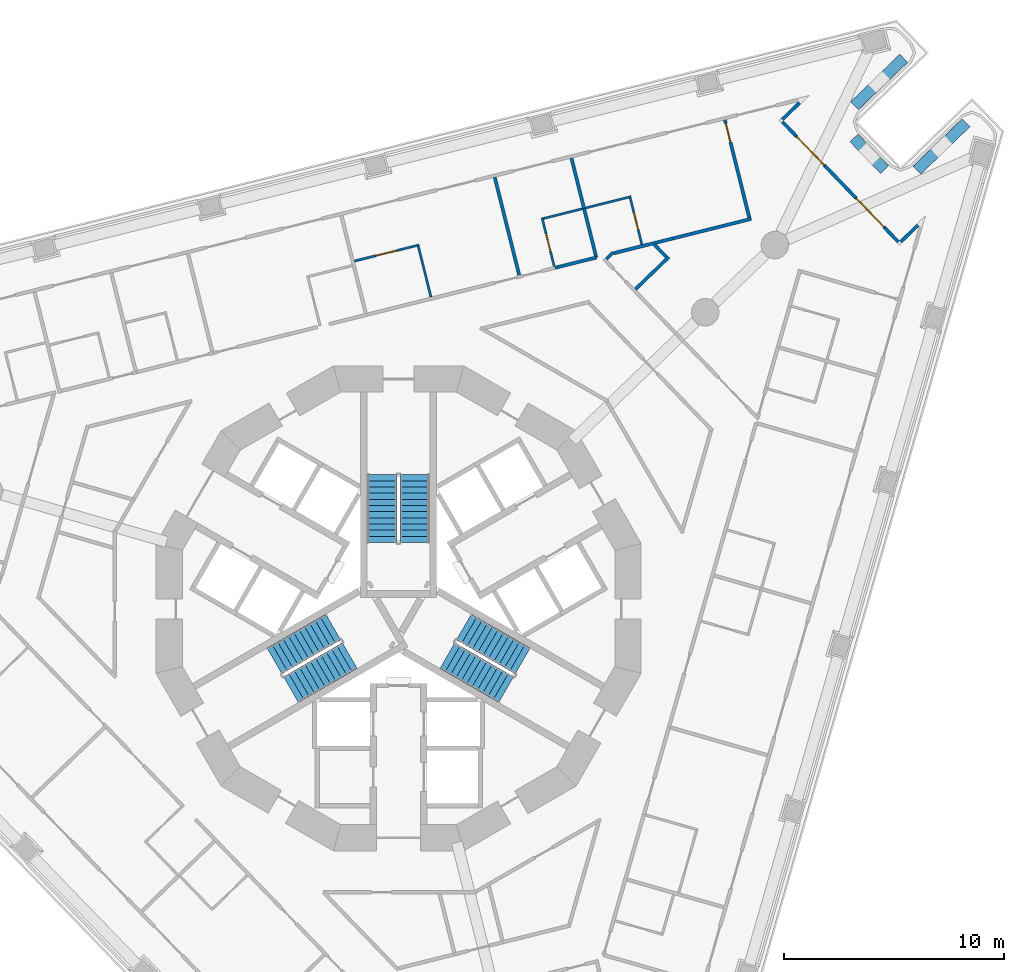
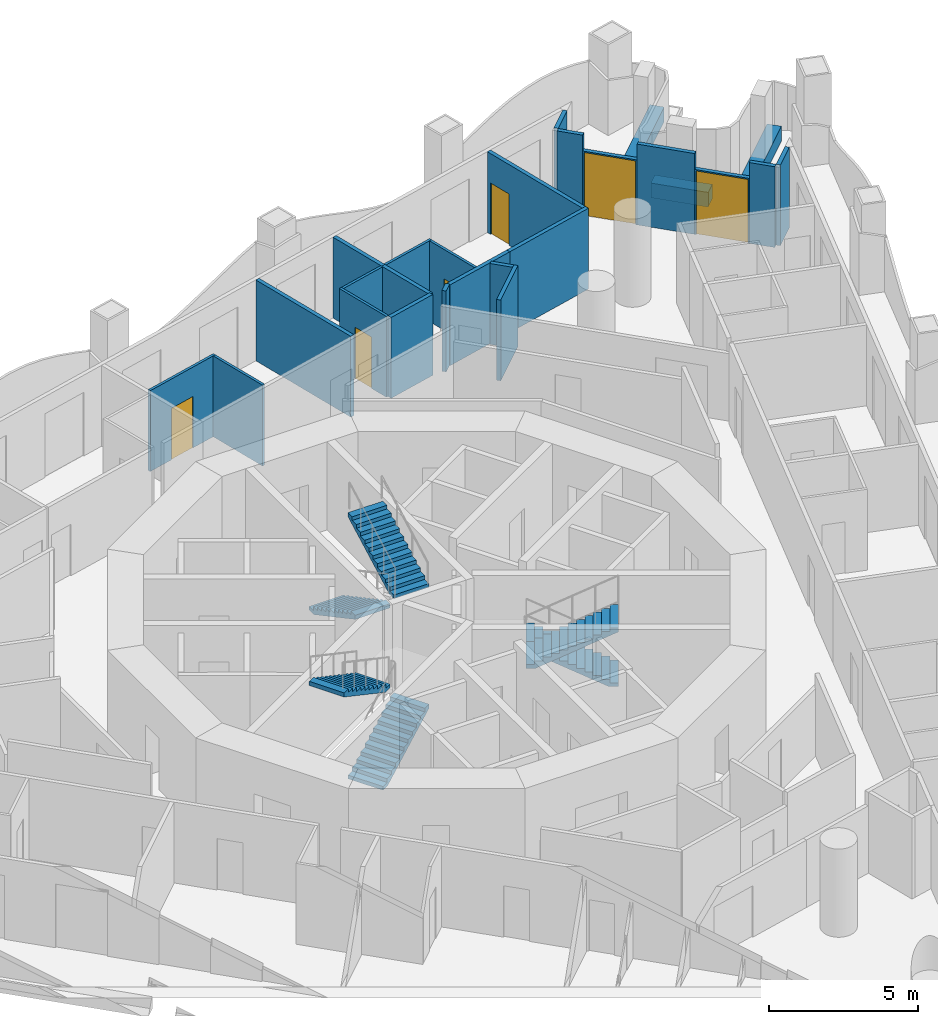
# One storey, part 10 of 18: 26 walls, 6 doors, 6 stair flights, 6 openings, 3 elements without a shape of their own.
"""IFC4 building model written with IfcOpenShell, lengths in metres."""

from ifc_helpers import new_model, si_unit, direction, frame, frame_2d, origin, place, context, subcontext, project, spatial, polyline, rectangle, outline, extrude, material, layer, layer_set, type_object, element, fill, aggregate, save


model = new_model("IFC4")

# Units and contexts
model_context = context("Model", 3, precision=1e-05, world=origin(), true_north=direction((0.0, 1.0)))
body_context = subcontext(model_context, "Body", "Model", "MODEL_VIEW")
ifc_project = project(units=[si_unit("LENGTHUNIT", "METRE"), si_unit("AREAUNIT", "SQUARE_METRE"), si_unit("VOLUMEUNIT", "CUBIC_METRE"), si_unit("PLANEANGLEUNIT", "RADIAN"), si_unit("MASSUNIT", "GRAM", prefix="KILO")], contexts=[model_context])

# Site, building, storey
site_placement = place(None, origin())
site = spatial("IfcSite", under=ifc_project, at=site_placement, CompositionType="ELEMENT")
building_placement = place(site_placement, origin())
building = spatial("IfcBuilding", under=site, at=building_placement, Name="Trine Commons Tower", CompositionType="ELEMENT")
storey_placement = place(building_placement, frame((0.0, 0.0, 90.89990234375)))
storey = spatial("IfcBuildingStorey", under=building, at=storey_placement, Name="L22", CompositionType="ELEMENT", Elevation=90.89990234375)

# Walls
ifc_material_1 = material(Name="Aluminium-framed insulated wall panel", Category="aluminium")
ifc_layer_1 = layer(ifc_material_1, 0.14990234375)
ifc_layer_set_1 = layer_set([ifc_layer_1], Name="Aluminium-framed insulated wall panel")
wall_type_1 = type_object("IfcWallType", Name="Glazed frame wall 150, EI 60", PredefinedType="SOLIDWALL", material=ifc_layer_set_1)
wall_1_placement = place(storey_placement, frame((98.3076171875, 85.552490234375, 0.0), z_axis=(0.0, 0.0, 1.0), x_axis=(-0.719251336278, -0.694749966004, 0.0)))
element("IfcWall", 1, at=wall_1_placement, inside=storey, type_object=wall_type_1, Name="Glazed frame wall R5", PredefinedType="SOLIDWALL", context=body_context, shape_type="SweptSolid", body=[
    extrude(outline(polyline([(0.1494140625, 0.074951171875), (0.1494140625, -0.074951171875), (1.235107421875, -0.074951171875), (1.235107421875, 0.074951171875), (0.1494140625, 0.074951171875)])), origin(), (0.0, 0.0, 1.0), 3.300048828125),
])
wall_2_placement = place(storey_placement, frame((97.3408203125, 84.66748046875, 0.0), z_axis=(0.0, 0.0, 1.0), x_axis=(0.694668587965, -0.719329933267, 0.0)))
element("IfcWall", 2, at=wall_2_placement, inside=storey, type_object=wall_type_1, Name="Glazed frame wall P2.1", PredefinedType="SOLIDWALL", context=body_context, shape_type="SweptSolid", body=[
    extrude(outline(polyline([(0.110107421875, -0.074951171875), (1.0, -0.074951171875), (1.0, 0.074951171875), (0.110107421875, 0.074951171875), (0.110107421875, -0.074951171875)])), origin(), (0.0, 0.0, 1.0), 3.300048828125),
])

# Wall, opening, door
wall_3_placement = place(storey_placement, frame((98.035400390625, 83.9482421875, 0.0), z_axis=(0.0, 0.0, 1.0), x_axis=(0.694665586762, -0.719332831566, 0.0)))
wall_3 = element("IfcWall", 3, at=wall_3_placement, inside=storey, type_object=wall_type_1, Name="Glazed frame wall P2.2", PredefinedType="SOLIDWALL", context=body_context, shape_type="SweptSolid", body=[
    extrude(outline(polyline([(0.0, -0.074951171875), (1.89990234375, -0.074951171875), (1.89990234375, 0.074951171875), (0.0, 0.074951171875), (0.0, -0.074951171875)])), origin(), (0.0, 0.0, 1.0), 2.650146484375),
])
opening_1_placement = place(wall_3_placement, frame((0.050048828125, 0.0, 0.0)))
opening_1 = element("IfcOpeningElement", 4, at=opening_1_placement, cuts=wall_3, Name="Opening BD-3P2-01", PredefinedType="OPENING", context=body_context, shape_type="SweptSolid", body=[
    extrude(rectangle(XDim=1.800048828125, YDim=2.60009765625, at=frame_2d((0.89990234375, 1.300048828125))), frame((0.0, 0.0849609375, 0.0), z_axis=(0.0, -1.0, 0.0), x_axis=(1.0, 0.0, 0.0)), (0.0, 0.0, 1.0), 0.169921875),
])
ifc_material_2 = material(Name="Anodised aluminium frame with double glazing", Category="aluminium")
door_type_1 = type_object("IfcDoorType", Name="Sliding loggia door 1800x2600", OperationType="SLIDING_TO_LEFT", PredefinedType="DOOR", material=ifc_material_2)
door_1_placement = place(opening_1_placement, origin())
door_1 = element("IfcDoor", 5, at=door_1_placement, inside=storey, type_object=door_type_1, Name="Loggia door P2 1", OperationType="SLIDING_TO_LEFT", OverallHeight=2.60009765625, OverallWidth=1.800048828125, PredefinedType="DOOR", context=body_context, shape_type="SweptSolid", body=[
    extrude(rectangle(XDim=1.800048828125, YDim=2.60009765625, at=frame_2d((0.89990234375, 1.300048828125))), frame((0.0, 0.02490234375, 0.0), z_axis=(0.0, -1.0, 0.0), x_axis=(1.0, 0.0, 0.0)), (0.0, 0.0, 1.0), 0.050048828125),
])
fill(opening_1, door_1)

# Wall
wall_4_placement = place(storey_placement, frame((99.35546875, 82.581298828125, 0.0), z_axis=(0.0, 0.0, 1.0), x_axis=(0.694668587965, -0.719329933267, 0.0)))
element("IfcWall", 6, at=wall_4_placement, inside=storey, type_object=wall_type_1, Name="Glazed frame wall P2.3", PredefinedType="SOLIDWALL", context=body_context, shape_type="SweptSolid", body=[
    extrude(outline(polyline([(0.0, -0.074951171875), (2.0, -0.074951171875), (2.0, 0.074951171875), (0.0, 0.074951171875), (0.0, -0.074951171875)])), origin(), (0.0, 0.0, 1.0), 3.300048828125),
])

# Wall, opening, door
wall_5_placement = place(storey_placement, frame((100.74462890625, 81.142822265625, 0.0), z_axis=(0.0, 0.0, 1.0), x_axis=(0.694599099672, -0.719397032753, 0.0)))
wall_5 = element("IfcWall", 7, at=wall_5_placement, inside=storey, type_object=wall_type_1, Name="Glazed frame wall P2.4", PredefinedType="SOLIDWALL", context=body_context, shape_type="SweptSolid", body=[
    extrude(outline(polyline([(0.0, -0.074951171875), (1.89990234375, -0.074951171875), (1.89990234375, 0.074951171875), (0.0, 0.074951171875), (0.0, -0.074951171875)])), origin(), (0.0, 0.0, 1.0), 2.650146484375),
])
opening_2_placement = place(wall_5_placement, frame((0.050048828125, 0.0, 0.0)))
opening_2 = element("IfcOpeningElement", 8, at=opening_2_placement, cuts=wall_5, Name="Opening BD-3P2-02", PredefinedType="OPENING", context=body_context, shape_type="SweptSolid", body=[
    extrude(rectangle(XDim=1.800048828125, YDim=2.60009765625, at=frame_2d((0.89990234375, 1.300048828125))), frame((0.0, 0.0849609375, 0.0), z_axis=(0.0, -1.0, 0.0), x_axis=(1.0, 0.0, 0.0)), (0.0, 0.0, 1.0), 0.169921875),
])
door_2_placement = place(opening_2_placement, origin())
door_2 = element("IfcDoor", 9, at=door_2_placement, inside=storey, type_object=door_type_1, Name="Loggia door P2 2", OperationType="SLIDING_TO_LEFT", OverallHeight=2.60009765625, OverallWidth=1.800048828125, PredefinedType="DOOR", context=body_context, shape_type="SweptSolid", body=[
    extrude(rectangle(XDim=1.800048828125, YDim=2.60009765625, at=frame_2d((0.89990234375, 1.300048828125))), frame((0.0, 0.02490234375, 0.0), z_axis=(0.0, -1.0, 0.0), x_axis=(1.0, 0.0, 0.0)), (0.0, 0.0, 1.0), 0.050048828125),
])
fill(opening_2, door_2)

# Walls
wall_6_placement = place(storey_placement, frame((102.064453125, 79.77587890625, 0.0), z_axis=(0.0, 0.0, 1.0), x_axis=(0.694794898962, -0.719207931252, 0.0)))
element("IfcWall", 10, at=wall_6_placement, inside=storey, type_object=wall_type_1, Name="Glazed frame wall P2.5", PredefinedType="SOLIDWALL", context=body_context, shape_type="SweptSolid", body=[
    extrude(outline(polyline([(0.889892578125, 0.074951171875), (0.0, 0.074951171875), (0.0, -0.074951171875), (0.889892578125, -0.074951171875), (0.889892578125, 0.074951171875)])), origin(), (0.0, 0.0, 1.0), 3.300048828125),
])
wall_7_placement = place(storey_placement, frame((102.709716796875, 79.0576171875, 0.0), z_axis=(0.0, 0.0, 1.0), x_axis=(0.719342032924, 0.694656058542, 0.0)))
element("IfcWall", 11, at=wall_7_placement, inside=storey, type_object=wall_type_1, Name="Glazed frame wall R7", PredefinedType="SOLIDWALL", context=body_context, shape_type="SweptSolid", body=[
    extrude(outline(polyline([(0.110107421875, 0.074951171875), (0.110107421875, -0.074951171875), (1.19580078125, -0.074951171875), (1.19580078125, 0.074951171875), (0.110107421875, 0.074951171875)])), origin(), (0.0, 0.0, 1.0), 3.300048828125),
])
ifc_material_3 = material(Name="Planter trough, precast concrete C40/50", Category="concrete")
ifc_layer_2 = layer(ifc_material_3, 0.5)
ifc_layer_set_2 = layer_set([ifc_layer_2], Name="Planter trough, precast concrete C40/50")
wall_type_2 = type_object("IfcWallType", Name="Planter trough 500x600", PredefinedType="PARAPET", material=ifc_layer_set_2)
wall_8_placement = place(storey_placement, frame((102.923828125, 87.47314453125, 0.0), z_axis=(0.0, 0.0, 1.0), x_axis=(-0.719324109218, -0.694674618723, 0.0)))
element("IfcWall", 12, at=wall_8_placement, inside=storey, type_object=wall_type_2, Name="Planter 4", PredefinedType="PARAPET", context=body_context, shape_type="SweptSolid", body=[
    extrude(rectangle(XDim=3.10009765625, YDim=0.5, at=frame_2d((1.550048828125, 0.0))), origin(), (0.0, 0.0, 1.0), 0.60009765625),
])
wall_9_placement = place(storey_placement, frame((100.668212890625, 83.84912109375, 0.0), z_axis=(0.0, 0.0, 1.0), x_axis=(0.694731751498, -0.719268929859, 0.0)))
element("IfcWall", 13, at=wall_9_placement, inside=storey, type_object=wall_type_2, Name="Planter 5", PredefinedType="PARAPET", context=body_context, shape_type="SweptSolid", body=[
    extrude(rectangle(XDim=2.0, YDim=0.5, at=frame_2d((1.0, 0.0))), origin(), (0.0, 0.0, 1.0), 0.60009765625),
])
wall_10_placement = place(storey_placement, frame((103.528076171875, 82.385009765625, 0.0), z_axis=(0.0, 0.0, 1.0), x_axis=(0.719363462475, 0.694633866765, 0.0)))
element("IfcWall", 14, at=wall_10_placement, inside=storey, type_object=wall_type_2, Name="Planter 6", PredefinedType="PARAPET", context=body_context, shape_type="SweptSolid", body=[
    extrude(rectangle(XDim=3.099853515625, YDim=0.5, at=frame_2d((1.5498046875, 0.0))), origin(), (0.0, 0.0, 1.0), 0.60009765625),
])
ifc_material_4 = material(Name="Gypsum plasterboard on steel stud", Category="steel")
ifc_layer_3 = layer(ifc_material_4, 0.14990234375)
ifc_layer_set_3 = layer_set([ifc_layer_3], Name="Gypsum plasterboard on steel stud")
wall_type_3 = type_object("IfcWallType", Name="Unit and corridor wall 150 mm, EI 60", PredefinedType="PARTITIONING", material=ifc_layer_set_3)
wall_11_placement = place(storey_placement, frame((84.36669921875, 82.066162109375, 0.0), z_axis=(0.0, 0.0, 1.0), x_axis=(0.241945064156, -0.970289949412, 0.0)))
element("IfcWall", 15, at=wall_11_placement, inside=storey, type_object=wall_type_3, Name="Partition 078", PredefinedType="PARTITIONING", context=body_context, shape_type="SweptSolid", body=[
    extrude(rectangle(XDim=4.572021484375, YDim=0.14990234375, at=frame_2d((2.2861328125, 0.0))), origin(), (0.0, 0.0, 1.0), 3.300048828125),
])
wall_12_placement = place(storey_placement, frame((87.10302734375, 77.958984375, 0.0), z_axis=(0.0, 0.0, 1.0), x_axis=(0.970439241323, 0.241345559105, 0.0)))
element("IfcWall", 16, at=wall_12_placement, inside=storey, type_object=wall_type_3, Name="Partition 082", PredefinedType="PARTITIONING", context=body_context, shape_type="SweptSolid", body=[
    extrude(rectangle(XDim=1.93115234375, YDim=0.14990234375, at=frame_2d((0.965576171875, 0.0))), origin(), (0.0, 0.0, 1.0), 3.300048828125),
])
wall_13_placement = place(storey_placement, frame((87.8486328125, 82.93408203125, 0.0), z_axis=(0.0, 0.0, 1.0), x_axis=(0.241776709291, -0.970331913751, 0.0)))
element("IfcWall", 17, at=wall_13_placement, inside=storey, type_object=wall_type_3, Name="Partition 089", PredefinedType="PARTITIONING", context=body_context, shape_type="SweptSolid", body=[
    extrude(rectangle(XDim=2.3466796875, YDim=0.14990234375, at=frame_2d((1.17333984375, 0.0))), origin(), (0.0, 0.0, 1.0), 3.300048828125),
])
wall_14_placement = place(storey_placement, frame((88.416015625, 80.656982421875, 0.0), z_axis=(0.0, 0.0, 1.0), x_axis=(0.242086100608, -0.97025477061, 0.0)))
element("IfcWall", 18, at=wall_14_placement, inside=storey, type_object=wall_type_3, Name="Partition 091", PredefinedType="PARTITIONING", context=body_context, shape_type="SweptSolid", body=[
    extrude(rectangle(XDim=2.30029296875, YDim=0.14990234375, at=frame_2d((1.150146484375, 0.0))), origin(), (0.0, 0.0, 1.0), 3.300048828125),
])
wall_15_placement = place(storey_placement, frame((89.431884765625, 78.354248046875, 0.0), z_axis=(0.0, 0.0, 1.0), x_axis=(0.71857486408, 0.695449613352, 0.0)))
element("IfcWall", 19, at=wall_15_placement, inside=storey, type_object=wall_type_3, Name="Partition 099", PredefinedType="PARTITIONING", context=body_context, shape_type="SweptSolid", body=[
    extrude(rectangle(XDim=0.432861328125, YDim=0.14990234375, at=frame_2d((0.21630859375, 0.0))), origin(), (0.0, 0.0, 1.0), 3.300048828125),
])
wall_16_placement = place(storey_placement, frame((89.76171875, 78.62109375, 0.0), z_axis=(0.0, 0.0, 1.0), x_axis=(0.970245917946, 0.242121578363, 0.0)))
element("IfcWall", 20, at=wall_16_placement, inside=storey, type_object=wall_type_3, Name="Partition 102", PredefinedType="PARTITIONING", context=body_context, shape_type="SweptSolid", body=[
    extrude(rectangle(XDim=2.77490234375, YDim=0.14990234375, at=frame_2d((1.387451171875, 0.0))), origin(), (0.0, 0.0, 1.0), 3.300048828125),
])
wall_17_placement = place(storey_placement, frame((90.751953125, 76.987060546875, 0.0), z_axis=(0.0, 0.0, 1.0), x_axis=(0.719152982376, 0.694851774079, 0.0)))
element("IfcWall", 21, at=wall_17_placement, inside=storey, type_object=wall_type_3, Name="Partition 106", PredefinedType="PARTITIONING", context=body_context, shape_type="SweptSolid", body=[
    extrude(rectangle(XDim=2.099609375, YDim=0.14990234375, at=frame_2d((1.0498046875, 0.0))), origin(), (0.0, 0.0, 1.0), 3.300048828125),
])
wall_18_placement = place(storey_placement, frame((91.608154296875, 79.01513671875, 0.0), z_axis=(0.0, 0.0, 1.0), x_axis=(0.694771305492, -0.71923072311, 0.0)))
element("IfcWall", 22, at=wall_18_placement, inside=storey, type_object=wall_type_3, Name="Partition 109", PredefinedType="PARTITIONING", context=body_context, shape_type="SweptSolid", body=[
    extrude(rectangle(XDim=0.78857421875, YDim=0.14990234375, at=frame_2d((0.394287109375, 0.0))), origin(), (0.0, 0.0, 1.0), 3.300048828125),
])
wall_19_placement = place(storey_placement, frame((92.4541015625, 79.29296875, 0.0), z_axis=(0.0, 0.0, 1.0), x_axis=(0.970299100739, 0.241908360967, 0.0)))
element("IfcWall", 23, at=wall_19_placement, inside=storey, type_object=wall_type_3, Name="Partition 113", PredefinedType="PARTITIONING", context=body_context, shape_type="SweptSolid", body=[
    extrude(rectangle(XDim=3.66357421875, YDim=0.14990234375, at=frame_2d((1.831787109375, 0.0))), origin(), (0.0, 0.0, 1.0), 3.300048828125),
])

# Wall, opening, door
wall_20_placement = place(storey_placement, frame((94.811767578125, 84.671142578125, 0.0), z_axis=(0.0, 0.0, 1.0), x_axis=(0.241894932299, -0.970302448584, 0.0)))
wall_20 = element("IfcWall", 24, at=wall_20_placement, inside=storey, type_object=wall_type_3, Name="Partition 118", PredefinedType="PARTITIONING", context=body_context, shape_type="SweptSolid", body=[
    extrude(rectangle(XDim=4.572998046875, YDim=0.14990234375, at=frame_2d((2.28662109375, 0.0))), origin(), (0.0, 0.0, 1.0), 3.300048828125),
])
opening_3_placement = place(wall_20_placement, frame((0.14990234375, 0.0, 0.0)))
opening_3 = element("IfcOpeningElement", 25, at=opening_3_placement, cuts=wall_20, Name="Opening D-3A14", PredefinedType="OPENING", context=body_context, shape_type="SweptSolid", body=[
    extrude(rectangle(XDim=0.89990234375, YDim=2.10009765625, at=frame_2d((0.449951171875, 1.050048828125))), frame((0.0, 0.0849609375, 0.0), z_axis=(0.0, -1.0, 0.0), x_axis=(1.0, 0.0, 0.0)), (0.0, 0.0, 1.0), 0.169921875),
])
ifc_material_5 = material(Name="Timber fire door set", Category="wood")
door_type_2 = type_object("IfcDoorType", Name="Bedroom door 900 x 2100, FD30S", OperationType="NOTDEFINED", PredefinedType="DOOR", material=ifc_material_5)
door_3_placement = place(opening_3_placement, frame((0.89990234375, 0.0, 0.0), z_axis=(0.0, 0.0, 1.0), x_axis=(-1.0, 0.0, 0.0)))
door_3 = element("IfcDoor", 26, at=door_3_placement, inside=storey, type_object=door_type_2, Name="Door D-3A14", OperationType="SINGLE_SWING_RIGHT", OverallHeight=2.10009765625, OverallWidth=0.89990234375, PredefinedType="DOOR", context=body_context, shape_type="SweptSolid", body=[
    extrude(rectangle(XDim=0.89990234375, YDim=2.10009765625, at=frame_2d((0.449951171875, 1.050048828125))), frame((0.0, 0.02490234375, 0.0), z_axis=(0.0, -1.0, 0.0), x_axis=(1.0, 0.0, 0.0)), (0.0, 0.0, 1.0), 0.050048828125),
])
fill(opening_3, door_3)

ifc_layer_4 = layer(ifc_material_4, 0.10009765625)
ifc_layer_set_4 = layer_set([ifc_layer_4], Name="Gypsum plasterboard on steel stud")
wall_type_4 = type_object("IfcWallType", Name="Unit partition 100 mm, no rating", PredefinedType="PARTITIONING", material=ifc_layer_set_4)
wall_21_placement = place(storey_placement, frame((77.995849609375, 78.26416015625, 0.0), z_axis=(0.0, 0.0, 1.0), x_axis=(0.970294209092, 0.24192798061, 0.0)))
wall_21 = element("IfcWall", 27, at=wall_21_placement, inside=storey, type_object=wall_type_4, Name="Partition 061", PredefinedType="PARTITIONING", context=body_context, shape_type="SweptSolid", body=[
    extrude(rectangle(XDim=3.025390625, YDim=0.10009765625, at=frame_2d((1.5126953125, 0.0))), origin(), (0.0, 0.0, 1.0), 3.300048828125),
])
opening_4_placement = place(wall_21_placement, frame((0.98779296875, 0.0, 0.0)))
opening_4 = element("IfcOpeningElement", 28, at=opening_4_placement, cuts=wall_21, Name="Opening D-3A41", PredefinedType="OPENING", context=body_context, shape_type="SweptSolid", body=[
    extrude(rectangle(XDim=1.0, YDim=2.10009765625, at=frame_2d((0.5, 1.050048828125))), frame((0.0, 0.06005859375, 0.0), z_axis=(0.0, -1.0, 0.0), x_axis=(1.0, 0.0, 0.0)), (0.0, 0.0, 1.0), 0.1201171875),
])
ifc_material_6 = material(Name="Painted timber", Category="wood")
door_type_3 = type_object("IfcDoorType", Name="Internal door 1000 x 2100, NOT RATED", OperationType="NOTDEFINED", PredefinedType="DOOR", material=ifc_material_6)
door_4_placement = place(opening_4_placement, origin())
door_4 = element("IfcDoor", 29, at=door_4_placement, inside=storey, type_object=door_type_3, Name="Door D-3A41", OperationType="SINGLE_SWING_LEFT", OverallHeight=2.10009765625, OverallWidth=1.0, PredefinedType="DOOR", context=body_context, shape_type="SweptSolid", body=[
    extrude(rectangle(XDim=1.0, YDim=2.10009765625, at=frame_2d((0.5, 1.050048828125))), frame((0.0, 0.02490234375, 0.0), z_axis=(0.0, -1.0, 0.0), x_axis=(1.0, 0.0, 0.0)), (0.0, 0.0, 1.0), 0.050048828125),
])
fill(opening_4, door_4)

# Wall
wall_22_placement = place(storey_placement, frame((80.89501953125, 78.935546875, 0.0), z_axis=(0.0, 0.0, 1.0), x_axis=(0.241664815679, -0.970359787328, 0.0)))
element("IfcWall", 30, at=wall_22_placement, inside=storey, type_object=wall_type_4, Name="Partition 068", PredefinedType="PARTITIONING", context=body_context, shape_type="SweptSolid", body=[
    extrude(rectangle(XDim=2.375, YDim=0.10009765625, at=frame_2d((1.1875, 0.0))), origin(), (0.0, 0.0, 1.0), 3.300048828125),
])

# Wall, opening, door
wall_23_placement = place(storey_placement, frame((86.511962890625, 80.2333984375, 0.0), z_axis=(0.0, 0.0, 1.0), x_axis=(0.242081128221, -0.970256011246, 0.0)))
wall_23 = element("IfcWall", 31, at=wall_23_placement, inside=storey, type_object=wall_type_4, Name="Partition 080", PredefinedType="PARTITIONING", context=body_context, shape_type="SweptSolid", body=[
    extrude(rectangle(XDim=2.275146484375, YDim=0.10009765625, at=frame_2d((1.1376953125, 0.0))), origin(), (0.0, 0.0, 1.0), 3.300048828125),
])
opening_5_placement = place(wall_23_placement, frame((0.7626953125, 0.0, 0.0)))
opening_5 = element("IfcOpeningElement", 32, at=opening_5_placement, cuts=wall_23, Name="Opening D-3A42", PredefinedType="OPENING", context=body_context, shape_type="SweptSolid", body=[
    extrude(rectangle(XDim=0.800048828125, YDim=2.10009765625, at=frame_2d((0.39990234375, 1.050048828125))), frame((0.0, 0.06005859375, 0.0), z_axis=(0.0, -1.0, 0.0), x_axis=(1.0, 0.0, 0.0)), (0.0, 0.0, 1.0), 0.1201171875),
])
door_type_4 = type_object("IfcDoorType", Name="Internal door 800 x 2100, NOT RATED", OperationType="NOTDEFINED", PredefinedType="DOOR", material=ifc_material_6)
door_5_placement = place(opening_5_placement, frame((0.800048828125, 0.0, 0.0), z_axis=(0.0, 0.0, 1.0), x_axis=(-1.0, 0.0, 0.0)))
door_5 = element("IfcDoor", 33, at=door_5_placement, inside=storey, type_object=door_type_4, Name="Door D-3A42", OperationType="SINGLE_SWING_LEFT", OverallHeight=2.10009765625, OverallWidth=0.800048828125, PredefinedType="DOOR", context=body_context, shape_type="SweptSolid", body=[
    extrude(rectangle(XDim=0.800048828125, YDim=2.10009765625, at=frame_2d((0.39990234375, 1.050048828125))), frame((0.0, 0.02490234375, 0.0), z_axis=(0.0, -1.0, 0.0), x_axis=(1.0, 0.0, 0.0)), (0.0, 0.0, 1.0), 0.050048828125),
])
fill(opening_5, door_5)

# Walls
wall_24_placement = place(storey_placement, frame((86.572509765625, 80.197021484375, 0.0), z_axis=(0.0, 0.0, 1.0), x_axis=(0.970244709708, 0.242126420043, 0.0)))
element("IfcWall", 34, at=wall_24_placement, inside=storey, type_object=wall_type_4, Name="Partition 081", PredefinedType="PARTITIONING", context=body_context, shape_type="SweptSolid", body=[
    extrude(rectangle(XDim=1.824951171875, YDim=0.10009765625, at=frame_2d((0.91259765625, 0.0))), origin(), (0.0, 0.0, 1.0), 3.300048828125),
])
wall_25_placement = place(storey_placement, frame((88.48876953125, 80.675048828125, 0.0), z_axis=(0.0, 0.0, 1.0), x_axis=(0.970311152165, 0.241860017334, 0.0)))
element("IfcWall", 35, at=wall_25_placement, inside=storey, type_object=wall_type_4, Name="Partition 092", PredefinedType="PARTITIONING", context=body_context, shape_type="SweptSolid", body=[
    extrude(rectangle(XDim=2.1259765625, YDim=0.10009765625, at=frame_2d((1.06298828125, 0.0))), origin(), (0.0, 0.0, 1.0), 3.300048828125),
])

# Wall, opening, door
wall_26_placement = place(storey_placement, frame((90.51513671875, 81.12841796875, 0.0), z_axis=(0.0, 0.0, 1.0), x_axis=(0.241769661622, -0.970333669786, 0.0)))
wall_26 = element("IfcWall", 36, at=wall_26_placement, inside=storey, type_object=wall_type_4, Name="Partition 105", PredefinedType="PARTITIONING", context=body_context, shape_type="SweptSolid", body=[
    extrude(rectangle(XDim=2.175048828125, YDim=0.10009765625, at=frame_2d((1.08740234375, 0.0))), origin(), (0.0, 0.0, 1.0), 3.300048828125),
])
opening_6_placement = place(wall_26_placement, frame((0.6875, 0.0, 0.0)))
opening_6 = element("IfcOpeningElement", 37, at=opening_6_placement, cuts=wall_26, Name="Opening D-3A43", PredefinedType="OPENING", context=body_context, shape_type="SweptSolid", body=[
    extrude(rectangle(XDim=0.800048828125, YDim=2.10009765625, at=frame_2d((0.39990234375, 1.050048828125))), frame((0.0, 0.06005859375, 0.0), z_axis=(0.0, -1.0, 0.0), x_axis=(1.0, 0.0, 0.0)), (0.0, 0.0, 1.0), 0.1201171875),
])
door_6_placement = place(opening_6_placement, origin())
door_6 = element("IfcDoor", 38, at=door_6_placement, inside=storey, type_object=door_type_4, Name="Door D-3A43", OperationType="SINGLE_SWING_RIGHT", OverallHeight=2.10009765625, OverallWidth=0.800048828125, PredefinedType="DOOR", context=body_context, shape_type="SweptSolid", body=[
    extrude(rectangle(XDim=0.800048828125, YDim=2.10009765625, at=frame_2d((0.39990234375, 1.050048828125))), frame((0.0, 0.02490234375, 0.0), z_axis=(0.0, -1.0, 0.0), x_axis=(1.0, 0.0, 0.0)), (0.0, 0.0, 1.0), 0.050048828125),
])
fill(opening_6, door_6)

# Stair, stair flights
ifc_material_7 = material(Name="Concrete C50/60", Category="concrete")
stair_type = type_object("IfcStairType", Name="Exit stair, dog-leg, 24 risers of 150 mm", PredefinedType="HALF_TURN_STAIR", material=ifc_material_7)
stair_1_placement = place(storey_placement, origin())
stair_1 = element("IfcStair", 39, at=stair_1_placement, inside=storey, type_object=stair_type, Name="L22 Exit stair ST1A", PredefinedType="HALF_TURN_STAIR")
stair_flight_type = type_object("IfcStairFlightType", Name="Stair flight, 1350 wide, 12 risers of 150 mm", PredefinedType="STRAIGHT", material=ifc_material_7)
stair_flight_1_placement = place(storey_placement, frame((79.25, 68.570556640625, 0.0), z_axis=(0.0, 0.0, 1.0), x_axis=(0.0, -1.0, 0.0)))
stair_flight_1 = element("IfcStairFlight", 40, at=stair_flight_1_placement, type_object=stair_flight_type, Name="ST1A flight 1", NumberOfRisers=12, NumberOfTreads=11, PredefinedType="STRAIGHT", RiserHeight=0.15, TreadLength=0.28, context=body_context, shape_type="SweptSolid", body=[
    extrude(outline(polyline([(0.0, 0.0), (0.0, 0.14990234375), (0.280029296875, 0.14990234375), (0.280029296875, 0.300048828125), (0.56005859375, 0.300048828125), (0.56005859375, 0.449951171875), (0.840087890625, 0.449951171875), (0.840087890625, 0.60009765625), (1.1201171875, 0.60009765625), (1.1201171875, 0.75), (1.39990234375, 0.75), (1.39990234375, 0.89990234375), (1.679931640625, 0.89990234375), (1.679931640625, 1.050048828125), (1.9599609375, 1.050048828125), (1.9599609375, 1.199951171875), (2.239990234375, 1.199951171875), (2.239990234375, 1.35009765625), (2.52001953125, 1.35009765625), (2.52001953125, 1.5), (2.800048828125, 1.5), (2.800048828125, 1.64990234375), (3.080078125, 1.64990234375), (3.080078125, 1.800048828125), (3.080078125, 1.47998046875), (0.3173828125, 0.0), (0.0, 0.0)])), frame((0.0, 0.675048828125, 0.0), z_axis=(0.0, -1.0, 0.0), x_axis=(1.0, 0.0, 0.0)), (0.0, 0.0, 1.0), 1.35009765625),
])
stair_flight_2_placement = place(storey_placement, frame((80.75, 65.490478515625, 1.800048828125), z_axis=(0.0, 0.0, 1.0), x_axis=(0.0, 1.0, 0.0)))
stair_flight_2 = element("IfcStairFlight", 41, at=stair_flight_2_placement, type_object=stair_flight_type, Name="ST1A flight 2", NumberOfRisers=12, NumberOfTreads=11, PredefinedType="STRAIGHT", RiserHeight=0.15, TreadLength=0.28, context=body_context, shape_type="SweptSolid", body=[
    extrude(outline(polyline([(0.0, 0.0), (0.0, 0.14990234375), (0.280029296875, 0.14990234375), (0.280029296875, 0.300048828125), (0.56005859375, 0.300048828125), (0.56005859375, 0.449951171875), (0.840087890625, 0.449951171875), (0.840087890625, 0.60009765625), (1.1201171875, 0.60009765625), (1.1201171875, 0.75), (1.39990234375, 0.75), (1.39990234375, 0.89990234375), (1.679931640625, 0.89990234375), (1.679931640625, 1.050048828125), (1.9599609375, 1.050048828125), (1.9599609375, 1.199951171875), (2.239990234375, 1.199951171875), (2.239990234375, 1.35009765625), (2.52001953125, 1.35009765625), (2.52001953125, 1.5), (2.800048828125, 1.5), (2.800048828125, 1.64990234375), (3.080078125, 1.64990234375), (3.080078125, 1.800048828125), (3.080078125, 1.47998046875), (0.3173828125, 0.0), (0.0, 0.0)])), frame((0.0, 0.675048828125, 0.0), z_axis=(0.0, -1.0, 0.0), x_axis=(1.0, 0.0, 0.0)), (0.0, 0.0, 1.0), 1.35009765625),
])
aggregate(stair_1, [stair_flight_1, stair_flight_2])

stair_2_placement = place(storey_placement, origin())
stair_2 = element("IfcStair", 42, at=stair_2_placement, inside=storey, type_object=stair_type, Name="L22 Exit stair ST2A", PredefinedType="HALF_TURN_STAIR")
stair_flight_3_placement = place(storey_placement, frame((75.11767578125, 58.815185546875, 0.0), z_axis=(0.0, 0.0, 1.0), x_axis=(0.866025403784, 0.5, 0.0)))
stair_flight_3 = element("IfcStairFlight", 43, at=stair_flight_3_placement, type_object=stair_flight_type, Name="ST2A flight 1", NumberOfRisers=12, NumberOfTreads=11, PredefinedType="STRAIGHT", RiserHeight=0.15, TreadLength=0.28, context=body_context, shape_type="SweptSolid", body=[
    extrude(outline(polyline([(0.0, 0.0), (0.0, 0.14990234375), (0.280029296875, 0.14990234375), (0.280029296875, 0.300048828125), (0.56005859375, 0.300048828125), (0.56005859375, 0.449951171875), (0.840087890625, 0.449951171875), (0.840087890625, 0.60009765625), (1.1201171875, 0.60009765625), (1.1201171875, 0.75), (1.39990234375, 0.75), (1.39990234375, 0.89990234375), (1.679931640625, 0.89990234375), (1.679931640625, 1.050048828125), (1.9599609375, 1.050048828125), (1.9599609375, 1.199951171875), (2.239990234375, 1.199951171875), (2.239990234375, 1.35009765625), (2.52001953125, 1.35009765625), (2.52001953125, 1.5), (2.800048828125, 1.5), (2.800048828125, 1.64990234375), (3.080078125, 1.64990234375), (3.080078125, 1.800048828125), (3.080078125, 1.47998046875), (0.3173828125, 0.0), (0.0, 0.0)])), frame((0.0, 0.675048828125, 0.0), z_axis=(0.0, -1.0, 0.0), x_axis=(1.0, 0.0, 0.0)), (0.0, 0.0, 1.0), 1.35009765625),
])
stair_flight_4_placement = place(storey_placement, frame((77.03515625, 61.654296875, 1.800048828125), z_axis=(0.0, 0.0, 1.0), x_axis=(-0.866025403784, -0.5, 0.0)))
stair_flight_4 = element("IfcStairFlight", 44, at=stair_flight_4_placement, type_object=stair_flight_type, Name="ST2A flight 2", NumberOfRisers=12, NumberOfTreads=11, PredefinedType="STRAIGHT", RiserHeight=0.15, TreadLength=0.28, context=body_context, shape_type="SweptSolid", body=[
    extrude(outline(polyline([(0.0, 0.0), (0.0, 0.14990234375), (0.280029296875, 0.14990234375), (0.280029296875, 0.300048828125), (0.56005859375, 0.300048828125), (0.56005859375, 0.449951171875), (0.840087890625, 0.449951171875), (0.840087890625, 0.60009765625), (1.1201171875, 0.60009765625), (1.1201171875, 0.75), (1.39990234375, 0.75), (1.39990234375, 0.89990234375), (1.679931640625, 0.89990234375), (1.679931640625, 1.050048828125), (1.9599609375, 1.050048828125), (1.9599609375, 1.199951171875), (2.239990234375, 1.199951171875), (2.239990234375, 1.35009765625), (2.52001953125, 1.35009765625), (2.52001953125, 1.5), (2.800048828125, 1.5), (2.800048828125, 1.64990234375), (3.080078125, 1.64990234375), (3.080078125, 1.800048828125), (3.080078125, 1.47998046875), (0.3173828125, 0.0), (0.0, 0.0)])), frame((0.0, 0.675048828125, 0.0), z_axis=(0.0, -1.0, 0.0), x_axis=(1.0, 0.0, 0.0)), (0.0, 0.0, 1.0), 1.35009765625),
])
aggregate(stair_2, [stair_flight_3, stair_flight_4])

stair_3_placement = place(storey_placement, origin())
stair_3 = element("IfcStair", 45, at=stair_3_placement, inside=storey, type_object=stair_type, Name="L22 Exit stair ST3A", PredefinedType="HALF_TURN_STAIR")
stair_flight_5_placement = place(storey_placement, frame((85.63232421875, 60.1142578125, 0.0), z_axis=(0.0, 0.0, 1.0), x_axis=(-0.866025403784, 0.5, 0.0)))
stair_flight_5 = element("IfcStairFlight", 46, at=stair_flight_5_placement, type_object=stair_flight_type, Name="ST3A flight 1", NumberOfRisers=12, NumberOfTreads=11, PredefinedType="STRAIGHT", RiserHeight=0.15, TreadLength=0.28, context=body_context, shape_type="SweptSolid", body=[
    extrude(outline(polyline([(0.0, 0.0), (0.0, 0.14990234375), (0.280029296875, 0.14990234375), (0.280029296875, 0.300048828125), (0.56005859375, 0.300048828125), (0.56005859375, 0.449951171875), (0.840087890625, 0.449951171875), (0.840087890625, 0.60009765625), (1.1201171875, 0.60009765625), (1.1201171875, 0.75), (1.39990234375, 0.75), (1.39990234375, 0.89990234375), (1.679931640625, 0.89990234375), (1.679931640625, 1.050048828125), (1.9599609375, 1.050048828125), (1.9599609375, 1.199951171875), (2.239990234375, 1.199951171875), (2.239990234375, 1.35009765625), (2.52001953125, 1.35009765625), (2.52001953125, 1.5), (2.800048828125, 1.5), (2.800048828125, 1.64990234375), (3.080078125, 1.64990234375), (3.080078125, 1.800048828125), (3.080078125, 1.47998046875), (0.3173828125, 0.0), (0.0, 0.0)])), frame((0.0, 0.675048828125, 0.0), z_axis=(0.0, -1.0, 0.0), x_axis=(1.0, 0.0, 0.0)), (0.0, 0.0, 1.0), 1.35009765625),
])
stair_flight_6_placement = place(storey_placement, frame((82.21484375, 60.355224609375, 1.800048828125), z_axis=(0.0, 0.0, 1.0), x_axis=(0.866025403784, -0.5, 0.0)))
stair_flight_6 = element("IfcStairFlight", 47, at=stair_flight_6_placement, type_object=stair_flight_type, Name="ST3A flight 2", NumberOfRisers=12, NumberOfTreads=11, PredefinedType="STRAIGHT", RiserHeight=0.15, TreadLength=0.28, context=body_context, shape_type="SweptSolid", body=[
    extrude(outline(polyline([(0.0, 0.0), (0.0, 0.14990234375), (0.280029296875, 0.14990234375), (0.280029296875, 0.300048828125), (0.56005859375, 0.300048828125), (0.56005859375, 0.449951171875), (0.840087890625, 0.449951171875), (0.840087890625, 0.60009765625), (1.1201171875, 0.60009765625), (1.1201171875, 0.75), (1.39990234375, 0.75), (1.39990234375, 0.89990234375), (1.679931640625, 0.89990234375), (1.679931640625, 1.050048828125), (1.9599609375, 1.050048828125), (1.9599609375, 1.199951171875), (2.239990234375, 1.199951171875), (2.239990234375, 1.35009765625), (2.52001953125, 1.35009765625), (2.52001953125, 1.5), (2.800048828125, 1.5), (2.800048828125, 1.64990234375), (3.080078125, 1.64990234375), (3.080078125, 1.800048828125), (3.080078125, 1.47998046875), (0.3173828125, 0.0), (0.0, 0.0)])), frame((0.0, 0.675048828125, 0.0), z_axis=(0.0, -1.0, 0.0), x_axis=(1.0, 0.0, 0.0)), (0.0, 0.0, 1.0), 1.35009765625),
])
aggregate(stair_3, [stair_flight_5, stair_flight_6])

save(model, "model.ifc")
